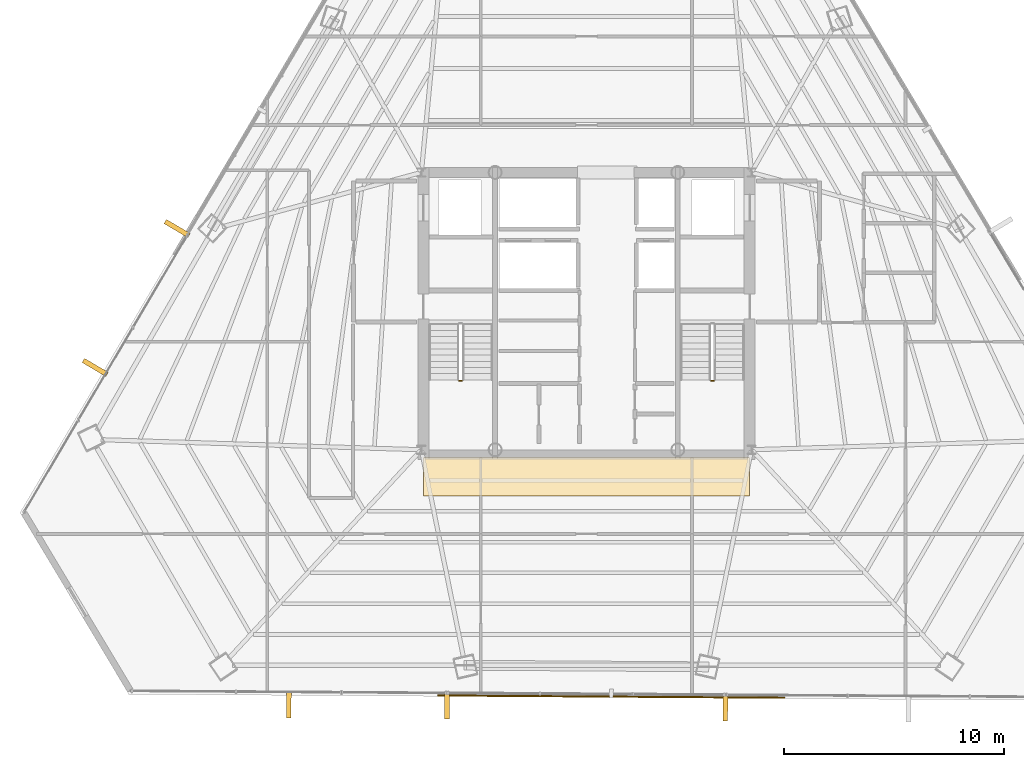
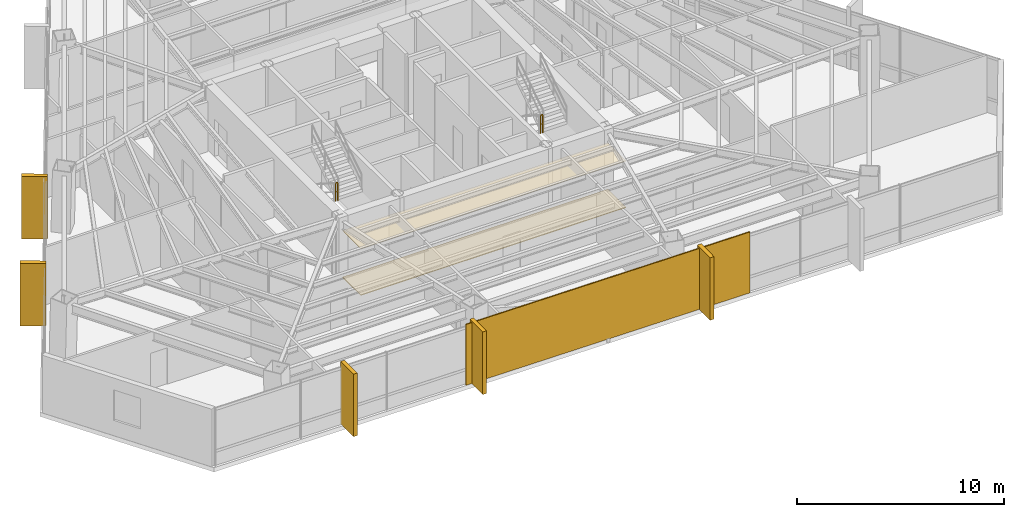
# One storey, part 39 of 41: 7 coverings, 2 railings, 1 shading device.
"""IFC4 building model written with IfcOpenShell, lengths in metres."""

from ifc_helpers import new_model, si_unit, direction, frame, origin, origin_2d, place, context, subcontext, project, spatial, polyline, rectangle, outline, extrude, source, transform, mapped, material, layer, layer_set, type_object, type_shapes, element, save


model = new_model("IFC4")

# Units and contexts
model_context = context("Model", 3, precision=1e-05, world=origin(), true_north=direction((0.0, 1.0)))
body_context = subcontext(model_context, "Body", "Model", "MODEL_VIEW")
ifc_project = project(units=[si_unit("LENGTHUNIT", "METRE"), si_unit("AREAUNIT", "SQUARE_METRE"), si_unit("VOLUMEUNIT", "CUBIC_METRE"), si_unit("PLANEANGLEUNIT", "RADIAN"), si_unit("MASSUNIT", "GRAM", prefix="KILO")], contexts=[model_context])

# Site, building, storey
site_placement = place(None, origin())
site = spatial("IfcSite", under=ifc_project, at=site_placement, CompositionType="ELEMENT")
building_placement = place(site_placement, origin())
building = spatial("IfcBuilding", under=site, at=building_placement, Name="Caelisora Broadcast Tower", CompositionType="ELEMENT")
storey_placement = place(building_placement, frame((0.0, 0.0, 165.800048828125)))
storey = spatial("IfcBuildingStorey", under=building, at=storey_placement, Name="L43", CompositionType="ELEMENT", Elevation=165.800048828125)

# Coverings
ifc_material_1 = material(Name="Perforated Mineral-Fibre Acoustic Ceiling Tile", Category="gypsum")
ifc_layer_1 = layer(ifc_material_1, 0.034912109375, Name="Perforated Mineral-Fibre Acoustic Ceiling Tile")
ifc_layer_set_1 = layer_set([ifc_layer_1], Name="Perforated Mineral-Fibre Acoustic Ceiling Tile")
covering_type_1 = type_object("IfcCoveringType", Name="CE-1", PredefinedType="CEILING", material=ifc_layer_set_1)
covering_1_placement = place(storey_placement, frame((0.0, 0.0, 2.75)))
element("IfcCovering", 1, at=covering_1_placement, inside=storey, type_object=covering_type_1, Name="L43 acoustic corridor ceiling CE-1 (S)", PredefinedType="CEILING", context=body_context, shape_type="SweptSolid", body=[
    extrude(outline(polyline([(30.60009765625, 15.300048828125), (45.39990234375, 15.300048828125), (45.39990234375, 17.050048828125), (30.60009765625, 17.050048828125), (30.60009765625, 15.300048828125)])), origin(), (0.0, 0.0, 1.0), 0.034912109375),
])
ifc_material_2 = material(Name="Anti-Static Broadcast Raised Access Floor Panel", Category="steel")
ifc_layer_2 = layer(ifc_material_2, 0.044921875, Name="Anti-Static Broadcast Raised Access Floor Panel")
ifc_layer_set_2 = layer_set([ifc_layer_2], Name="Anti-Static Broadcast Raised Access Floor Panel")
covering_type_2 = type_object("IfcCoveringType", Name="FL-1", PredefinedType="FLOORING", material=ifc_layer_set_2)
covering_2_placement = place(storey_placement, origin())
element("IfcCovering", 2, at=covering_2_placement, inside=storey, type_object=covering_type_2, Name="L43 broadcast raised access floor FL-1 (S)", PredefinedType="FLOORING", context=body_context, shape_type="SweptSolid", body=[
    extrude(outline(polyline([(30.60009765625, 15.300048828125), (45.39990234375, 15.300048828125), (45.39990234375, 17.050048828125), (30.60009765625, 17.050048828125), (30.60009765625, 15.300048828125)])), origin(), (0.0, 0.0, 1.0), 0.044921875),
])

# Railings
ifc_material_3 = material(Name="Galvanised Steel Safety Guardrail", Category="steel")
ifc_layer_3 = layer(ifc_material_3, 0.048095703125, Name="Galvanised Steel Safety Guardrail")
ifc_layer_set_3 = layer_set([ifc_layer_3], Name="Galvanised Steel Safety Guardrail")
railing_type = type_object("IfcRailingType", Name="GR-1", PredefinedType="GUARDRAIL", material=ifc_layer_set_3)
for number, where, name in (
    (3, (32.219970703125, 20.530029296875, 1.824951171875), "L43 ST-1 stair guard 2"),
    (4, (43.659912109375, 20.530029296875, 1.824951171875), "L43 ST-2 stair guard 2"),
):
    element("IfcRailing", number, at=place(storey_placement, frame(where)), inside=storey, type_object=railing_type, Name=name, PredefinedType="GUARDRAIL", context=body_context, shape_type="SweptSolid", body=[
        extrude(rectangle(XDim=0.048095703125, YDim=0.048095703125, at=origin_2d()), frame((0.0, 0.0, 1.076171875), z_axis=(1.0, 0.0, 0.0), x_axis=(0.0, 1.0, 0.0)), (0.0, 0.0, 1.0), 0.1201171875),
        extrude(rectangle(XDim=0.03125, YDim=0.03125, at=origin_2d()), frame((0.0, 0.0, 0.550048828125), z_axis=(1.0, 0.0, 0.0), x_axis=(0.0, 1.0, 0.0)), (0.0, 0.0, 1.0), 0.1201171875),
        extrude(rectangle(XDim=0.0419921875, YDim=0.0419921875, at=origin_2d()), origin(), (0.0, 0.0, 1.0), 1.052001953125),
        extrude(rectangle(XDim=0.0419921875, YDim=0.0419921875, at=origin_2d()), frame((0.1201171875, 0.0, 0.0)), (0.0, 0.0, 1.0), 1.052001953125),
    ])

# Coverings
ifc_material_4 = material(Name="Kiln-Fired Terracotta Spandrel Rainscreen Cladding", Category="ceramic")
ifc_layer_4 = layer(ifc_material_4, 0.044921875, Name="Kiln-Fired Terracotta Spandrel Rainscreen Cladding")
ifc_layer_set_4 = layer_set([ifc_layer_4], Name="Kiln-Fired Terracotta Spandrel Rainscreen Cladding")
covering_type_3 = type_object("IfcCoveringType", Name="CL-1", PredefinedType="CLADDING", material=ifc_layer_set_4)
shared_shape_1 = source(origin(), body_context, "Body", "SweptSolid", [
    extrude(rectangle(XDim=0.219970703125, YDim=1.25, at=origin_2d()), origin(), (0.0, 0.0, 1.0), 3.68994140625),
])
type_shapes(covering_type_3, [shared_shape_1])
for number, where, z_axis, x_axis, name in (
    (5, (44.310791015625, 5.700439453125, -0.02001953125), (0.0, 0.0, 1.0), (-0.999978006703, 0.006632202536, 0.0), "L43 vertical solar fin cladding #2-2"),
    (6, (31.66552734375, 5.783447265625, -0.02001953125), (0.0, 0.0, 1.0), (-0.999978006703, 0.006632202536, 0.0), "L43 vertical solar fin cladding #2-3"),
    (7, (24.475830078125, 5.830810546875, -0.02001953125), (0.0, 0.0, 1.0), (-0.999978006703, 0.006632202536, 0.0), "L43 vertical solar fin cladding #2-4"),
    (8, (15.67822265625, 21.1396484375, -0.02001953125), (0.0, 0.0, 1.0), (0.507989441341, 0.861363295878, 0.0), "L43 vertical solar fin cladding #3-1"),
    (9, (19.400634765625, 27.451904296875, -0.02001953125), (0.0, 0.0, 1.0), (0.507989441341, 0.861363295878, 0.0), "L43 vertical solar fin cladding #3-2"),
):
    element("IfcCovering", number, at=place(storey_placement, frame(where, z_axis=z_axis, x_axis=x_axis)), inside=storey, type_object=covering_type_3, Name=name, PredefinedType="CLADDING", context=body_context, shape_type="MappedRepresentation", body=[
        mapped(shared_shape_1, transform((0.0, 0.0, 0.0), scale=1.0)),
    ])

# Shading device
ifc_material_5 = material(Name="Perforated Glazed Terracotta Baguette Solar Screen", Category="ceramic")
ifc_layer_5 = layer(ifc_material_5, 0.06494140625, Name="Perforated Glazed Terracotta Baguette Solar Screen")
ifc_layer_set_5 = layer_set([ifc_layer_5], Name="Perforated Glazed Terracotta Baguette Solar Screen")
shading_device_type = type_object("IfcShadingDeviceType", Name="SS-1", PredefinedType="USERDEFINED", material=ifc_layer_set_5)
shared_shape_2 = source(origin(), body_context, "Body", "SweptSolid", [
    extrude(rectangle(XDim=15.782958984375, YDim=0.06494140625, at=origin_2d()), origin(), (0.0, 0.0, 1.0), 3.590087890625),
])
type_shapes(shading_device_type, [shared_shape_2])
shading_device_placement = place(storey_placement, frame((39.125732421875, 6.1845703125, 0.0), z_axis=(0.0, 0.0, 1.0), x_axis=(0.999978006703, -0.006632202536, 0.0)))
element("IfcShadingDevice", 10, at=shading_device_placement, inside=storey, type_object=shading_device_type, Name="L43 perforated terracotta solar screen #2", ObjectType="SOLAR SCREEN", PredefinedType="USERDEFINED", context=body_context, shape_type="MappedRepresentation", body=[
    mapped(shared_shape_2, transform((0.0, 0.0, 0.0), scale=1.0)),
])

save(model, "model.ifc")
